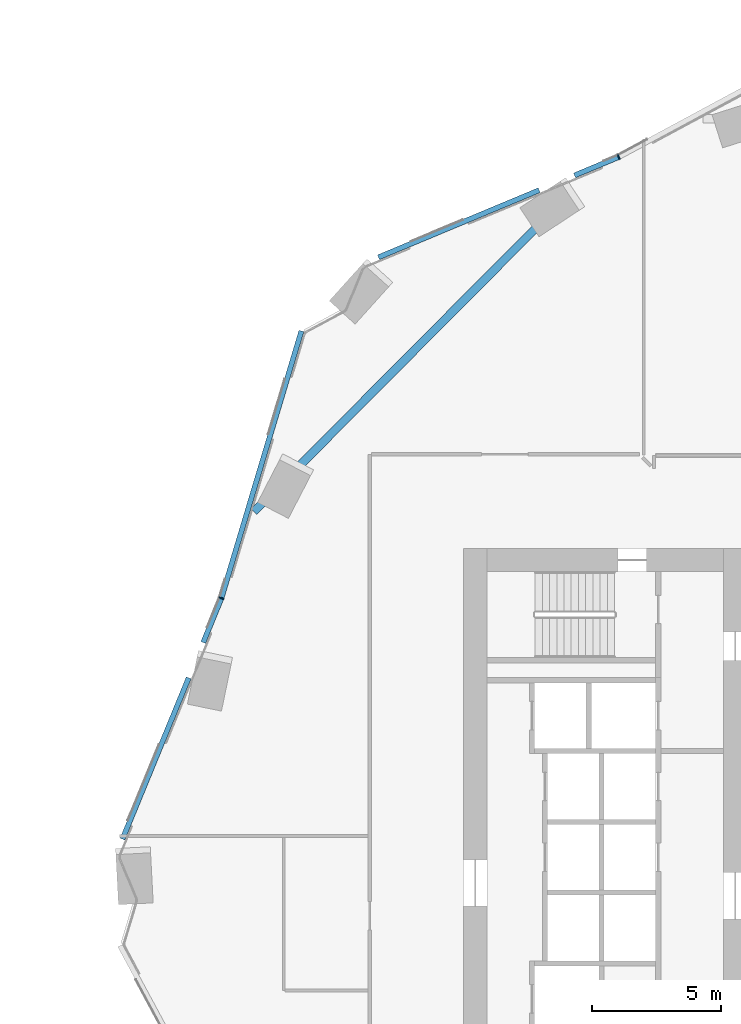
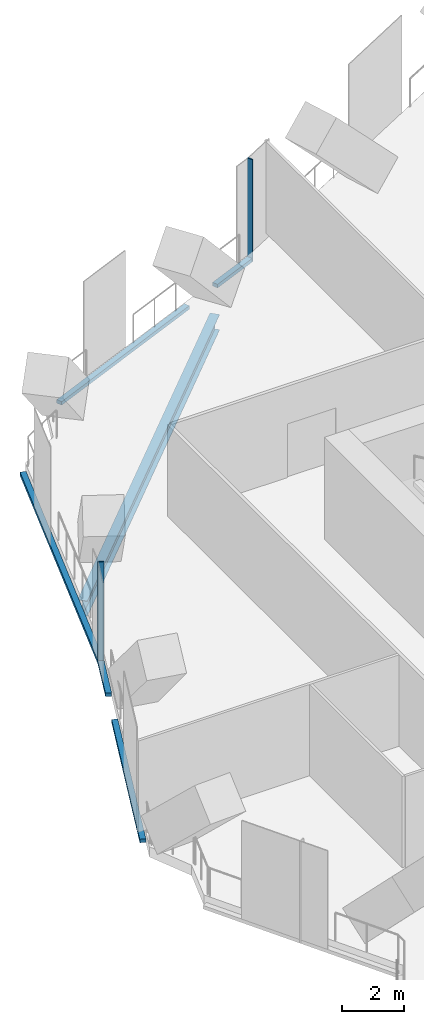
# One storey, part 12 of 37: 7 members, 1 beam, 4 elements without a shape of their own.
"""IFC4 building model written with IfcOpenShell, lengths in metres."""

from ifc_helpers import new_model, si_unit, direction, frame, origin, origin_2d, place, context, subcontext, project, spatial, rectangle, i_section, extrude, material, material_profile, profile_set, type_object, element, aggregate, save


model = new_model("IFC4")

# Units and contexts
model_context = context("Model", 3, precision=1e-05, world=origin(), true_north=direction((0.0, 1.0)))
body_context = subcontext(model_context, "Body", "Model", "MODEL_VIEW")
ifc_project = project(units=[si_unit("LENGTHUNIT", "METRE"), si_unit("AREAUNIT", "SQUARE_METRE"), si_unit("VOLUMEUNIT", "CUBIC_METRE"), si_unit("PLANEANGLEUNIT", "RADIAN"), si_unit("MASSUNIT", "GRAM", prefix="KILO")], contexts=[model_context])

# Site, building, storey
site_placement = place(None, origin())
site = spatial("IfcSite", under=ifc_project, at=site_placement, CompositionType="ELEMENT")
building_placement = place(site_placement, origin())
building = spatial("IfcBuilding", under=site, at=building_placement, Name="Orlundy Tower", CompositionType="ELEMENT")
storey_placement = place(building_placement, frame((0.0, 0.0, 119.699951171875)))
storey = spatial("IfcBuildingStorey", under=building, at=storey_placement, Name="L30", CompositionType="ELEMENT", Elevation=119.699951171875)

# Beam
ifc_material_1 = material(Name="Steel ASTM A992 Gr 50", Category="steel")
ifc_material_profile_1 = material_profile(ifc_material_1, i_section(OverallWidth=0.32373046875, OverallDepth=0.611083984375, WebThickness=0.0126953125, FlangeThickness=0.01904296875, at=origin_2d()), Name="W24X104")
ifc_profile_set_1 = profile_set([ifc_material_profile_1], Name="Steel ASTM A992 Gr 50")
beam_type = type_object("IfcBeamType", Name="CANTILEVER GIRDER beam W24X104", PredefinedType="BEAM", material=ifc_profile_set_1)
beam_placement = place(storey_placement, frame((-27.150634765625, 13.41943359375, -0.70556640625), z_axis=(0.705030814518, 0.709176670922, 0.0), x_axis=(-0.709176670922, 0.705030814518, 0.0)))
element("IfcBeam", 1, at=beam_placement, inside=storey, type_object=beam_type, Name="Cantilever girder C-H18 L30", PredefinedType="BEAM", context=body_context, shape_type="SweptSolid", body=[
    extrude(i_section(OverallWidth=0.32373046875, OverallDepth=0.611083984375, WebThickness=0.0126953125, FlangeThickness=0.01904296875, at=origin_2d()), origin(), (0.0, 0.0, 1.0), 16.6064453125),
])

# Curtain wall, member
ifc_material_2 = material(Name="Aluminium bronze anodised", Category="aluminium")
curtain_wall_type = type_object("IfcCurtainWallType", Name="CW5 wall", PredefinedType="NOTDEFINED", material=ifc_material_2)
curtain_wall_1_placement = place(storey_placement, origin())
curtain_wall_1 = element("IfcCurtainWall", 2, at=curtain_wall_1_placement, inside=storey, type_object=curtain_wall_type, Name="CW5 run 03", PredefinedType="NOTDEFINED")
ifc_material_3 = material(Name="Aluminium bronze anodised", Category="aluminium")
ifc_material_profile_2 = material_profile(ifc_material_3, rectangle(XDim=0.199951171875, YDim=0.050048828125, at=origin_2d()), Name="CW5 mullion 50x200")
ifc_profile_set_2 = profile_set([ifc_material_profile_2], Name="Aluminium bronze anodised")
member_type_1 = type_object("IfcMemberType", Name="CW5 mullion 50x200", PredefinedType="MULLION", material=ifc_profile_set_2)
member_1_placement = place(storey_placement, frame((-28.408447265625, 10.0615234375, -0.39990234375), z_axis=(0.0, 0.0, 1.0), x_axis=(-0.942637313855, 0.333818655154, 0.0)))
member_1 = element("IfcMember", 3, at=member_1_placement, type_object=member_type_1, Name="CW5 mullion 5", PredefinedType="MULLION", context=body_context, shape_type="SweptSolid", body=[
    extrude(rectangle(XDim=0.199951171875, YDim=0.050048828125, at=origin_2d()), origin(), (0.0, 0.0, 1.0), 4.0),
])

curtain_wall_2_placement = place(storey_placement, origin())
curtain_wall_2 = element("IfcCurtainWall", 4, at=curtain_wall_2_placement, inside=storey, type_object=curtain_wall_type, Name="CW5 run 07", PredefinedType="NOTDEFINED")
member_2_placement = place(storey_placement, frame((-12.97314453125, 27.201416015625, -0.39990234375), z_axis=(0.0, 0.0, 1.0), x_axis=(-0.430524076565, 0.902579093209, 0.0)))
member_2 = element("IfcMember", 5, at=member_2_placement, type_object=member_type_1, Name="CW5 mullion 11", PredefinedType="MULLION", context=body_context, shape_type="SweptSolid", body=[
    extrude(rectangle(XDim=0.199951171875, YDim=0.050048828125, at=origin_2d()), origin(), (0.0, 0.0, 1.0), 4.0),
])
aggregate(curtain_wall_2, [member_2])

# Curtain wall, members
curtain_wall_3_placement = place(storey_placement, origin())
curtain_wall_3 = element("IfcCurtainWall", 6, at=curtain_wall_3_placement, inside=storey, type_object=curtain_wall_type, Name="CW5 run 02", PredefinedType="NOTDEFINED")
ifc_material_4 = material(Name="Aluminium bronze anodised", Category="aluminium")
ifc_material_profile_3 = material_profile(ifc_material_4, rectangle(XDim=0.199951171875, YDim=0.139892578125, at=origin_2d()), Name="CW5 transom 200x140")
ifc_profile_set_3 = profile_set([ifc_material_profile_3], Name="Aluminium bronze anodised")
member_type_2 = type_object("IfcMemberType", Name="CW5 transom 200x140", PredefinedType="USERDEFINED", material=ifc_profile_set_3)
member_3_placement = place(storey_placement, frame((-32.25146484375, 0.705810546875, -0.329833984375), z_axis=(0.37998607701, 0.924992206064, 0.0), x_axis=(-0.924992206064, 0.37998607701, 0.0)))
member_3 = element("IfcMember", 7, at=member_3_placement, type_object=member_type_2, Name="CW5 transom", ObjectType="TRANSOM", PredefinedType="USERDEFINED", context=body_context, shape_type="SweptSolid", body=[
    extrude(rectangle(XDim=0.199951171875, YDim=0.139892578125, at=origin_2d()), origin(), (0.0, 0.0, 1.0), 6.77001953125),
])
member_4_placement = place(storey_placement, frame((-29.115234375, 8.3408203125, -0.329833984375), z_axis=(0.379953410639, 0.925005624709, 0.0), x_axis=(-0.925005624709, 0.379953410639, 0.0)))
member_4 = element("IfcMember", 8, at=member_4_placement, type_object=member_type_2, Name="CW5 transom", ObjectType="TRANSOM", PredefinedType="USERDEFINED", context=body_context, shape_type="SweptSolid", body=[
    extrude(rectangle(XDim=0.199951171875, YDim=0.139892578125, at=origin_2d()), origin(), (0.0, 0.0, 1.0), 1.835205078125),
])
aggregate(curtain_wall_3, [member_3, member_4])

# Member
member_5_placement = place(storey_placement, frame((-28.401123046875, 10.08544921875, -0.329833984375), z_axis=(0.286833975645, 0.957980307948, 0.0), x_axis=(-0.957980307948, 0.286833975645, 0.0)))
member_5 = element("IfcMember", 9, at=member_5_placement, type_object=member_type_2, Name="CW5 transom", ObjectType="TRANSOM", PredefinedType="USERDEFINED", context=body_context, shape_type="SweptSolid", body=[
    extrude(rectangle(XDim=0.199951171875, YDim=0.139892578125, at=origin_2d()), origin(), (0.0, 0.0, 1.0), 10.8095703125),
])

aggregate(curtain_wall_1, [member_1, member_5])

# Curtain wall, members
curtain_wall_4_placement = place(storey_placement, origin())
curtain_wall_4 = element("IfcCurtainWall", 10, at=curtain_wall_4_placement, inside=storey, type_object=curtain_wall_type, Name="CW5 run 06", PredefinedType="NOTDEFINED")
member_6_placement = place(storey_placement, frame((-22.305419921875, 23.30419921875, -0.329833984375), z_axis=(0.922764635487, 0.385364019461, 0.0), x_axis=(-0.385364019461, 0.922764635487, 0.0)))
member_6 = element("IfcMember", 11, at=member_6_placement, type_object=member_type_2, Name="CW5 transom", ObjectType="TRANSOM", PredefinedType="USERDEFINED", context=body_context, shape_type="SweptSolid", body=[
    extrude(rectangle(XDim=0.199951171875, YDim=0.139892578125, at=origin_2d()), origin(), (0.0, 0.0, 1.0), 6.760498046875),
])
member_7_placement = place(storey_placement, frame((-14.689453125, 26.484619140625, -0.329833984375), z_axis=(0.922793265117, 0.385295457869, 0.0), x_axis=(-0.385295457869, 0.922793265117, 0.0)))
member_7 = element("IfcMember", 12, at=member_7_placement, type_object=member_type_2, Name="CW5 transom", ObjectType="TRANSOM", PredefinedType="USERDEFINED", context=body_context, shape_type="SweptSolid", body=[
    extrude(rectangle(XDim=0.199951171875, YDim=0.139892578125, at=origin_2d()), origin(), (0.0, 0.0, 1.0), 1.8349609375),
])
aggregate(curtain_wall_4, [member_6, member_7])

save(model, "model.ifc")
